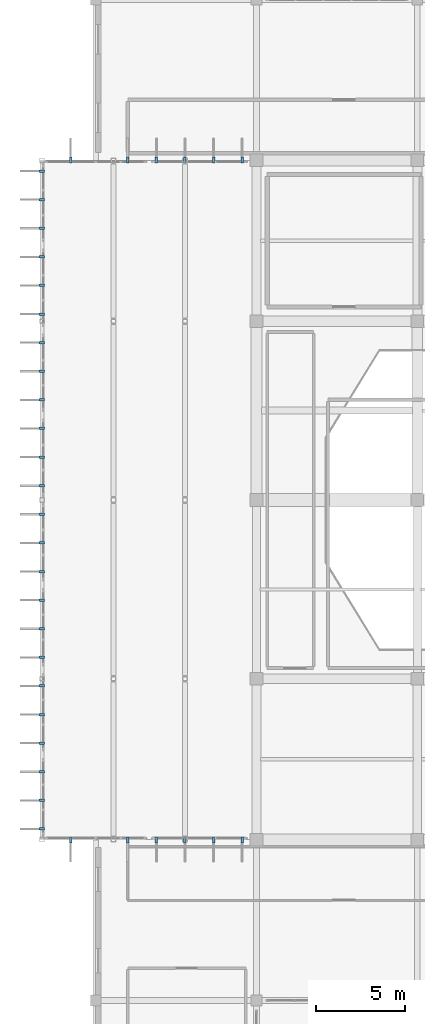
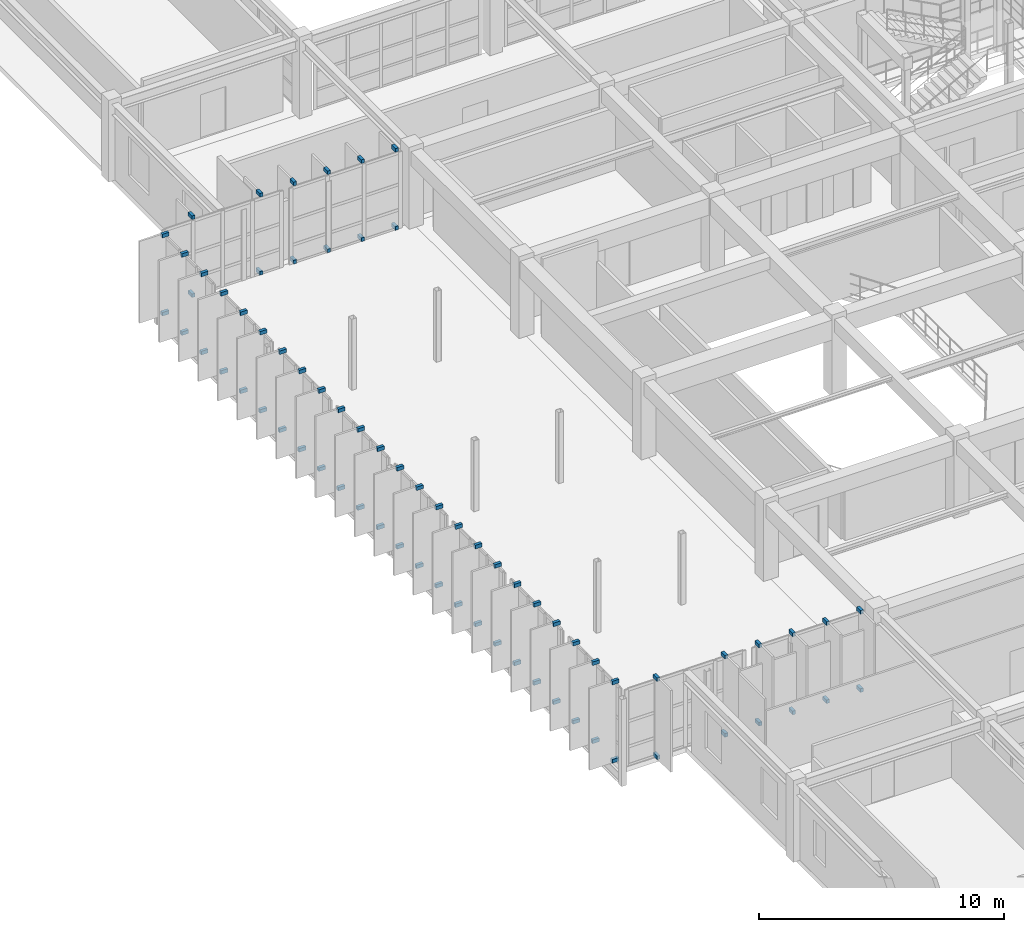
# One storey, part 102 of 110: 72 discrete accessories.
"""IFC4 building model written with IfcOpenShell, lengths in metres."""

from ifc_helpers import new_model, si_unit, direction, frame, origin, origin_2d, place, context, subcontext, project, spatial, rectangle, extrude, material, type_object, element, save


model = new_model("IFC4")

# Units and contexts
model_context = context("Model", 3, precision=1e-05, world=origin(), true_north=direction((0.0, 1.0)))
body_context = subcontext(model_context, "Body", "Model", "MODEL_VIEW")
ifc_project = project(units=[si_unit("LENGTHUNIT", "METRE"), si_unit("AREAUNIT", "SQUARE_METRE"), si_unit("VOLUMEUNIT", "CUBIC_METRE"), si_unit("PLANEANGLEUNIT", "RADIAN"), si_unit("MASSUNIT", "GRAM", prefix="KILO")], contexts=[model_context])

# Site, building, storey
site_placement = place(None, origin())
site = spatial("IfcSite", under=ifc_project, at=site_placement, CompositionType="ELEMENT")
building_placement = place(site_placement, origin())
building = spatial("IfcBuilding", under=site, at=building_placement, Name="Miravela Opera House", CompositionType="ELEMENT")
storey_placement = place(building_placement, frame((0.0, 0.0, 13.60009765625)))
storey = spatial("IfcBuildingStorey", under=building, at=storey_placement, Name="L03", CompositionType="ELEMENT", Elevation=13.60009765625)

# Discrete accessories
ifc_material = material(Name="Anodised architectural bronze aluminium 6063-T6", Category="aluminium")
discrete_accessory_type = type_object("IfcDiscreteAccessoryType", Name="ARC-BRK-FIN-320", PredefinedType="BRACKET", material=ifc_material)
for number, where, z_axis, x_axis, name in (
    (1, (14.97998046875, 37.60009765625, 0.0), (0.0, 0.0, 1.0), (1.0, 0.0, 0.0), "Bronze Fin Outrigger Bracket BOT 0073"),
    (2, (14.97998046875, 37.60009765625, 3.89990234375), (0.0, 0.0, 1.0), (1.0, 0.0, 0.0), "Bronze Fin Outrigger Bracket TOP 0074"),
    (3, (14.97998046875, 39.199951171875, 0.0), (0.0, 0.0, 1.0), (1.0, 0.0, 0.0), "Bronze Fin Outrigger Bracket BOT 0075"),
    (4, (14.97998046875, 39.199951171875, 3.89990234375), (0.0, 0.0, 1.0), (1.0, 0.0, 0.0), "Bronze Fin Outrigger Bracket TOP 0076"),
    (5, (14.97998046875, 40.800048828125, 0.0), (0.0, 0.0, 1.0), (1.0, 0.0, 0.0), "Bronze Fin Outrigger Bracket BOT 0077"),
    (6, (14.97998046875, 40.800048828125, 3.89990234375), (0.0, 0.0, 1.0), (1.0, 0.0, 0.0), "Bronze Fin Outrigger Bracket TOP 0078"),
    (7, (14.97998046875, 42.39990234375, 0.0), (0.0, 0.0, 1.0), (1.0, 0.0, 0.0), "Bronze Fin Outrigger Bracket BOT 0079"),
    (8, (14.97998046875, 42.39990234375, 3.89990234375), (0.0, 0.0, 1.0), (1.0, 0.0, 0.0), "Bronze Fin Outrigger Bracket TOP 0080"),
    (9, (14.97998046875, 44.0, 0.0), (0.0, 0.0, 1.0), (1.0, 0.0, 0.0), "Bronze Fin Outrigger Bracket BOT 0081"),
    (10, (14.97998046875, 44.0, 3.89990234375), (0.0, 0.0, 1.0), (1.0, 0.0, 0.0), "Bronze Fin Outrigger Bracket TOP 0082"),
    (11, (14.97998046875, 45.60009765625, 0.0), (0.0, 0.0, 1.0), (1.0, 0.0, 0.0), "Bronze Fin Outrigger Bracket BOT 0083"),
    (12, (14.97998046875, 45.60009765625, 3.89990234375), (0.0, 0.0, 1.0), (1.0, 0.0, 0.0), "Bronze Fin Outrigger Bracket TOP 0084"),
    (13, (14.97998046875, 47.199951171875, 0.0), (0.0, 0.0, 1.0), (1.0, 0.0, 0.0), "Bronze Fin Outrigger Bracket BOT 0085"),
    (14, (14.97998046875, 47.199951171875, 3.89990234375), (0.0, 0.0, 1.0), (1.0, 0.0, 0.0), "Bronze Fin Outrigger Bracket TOP 0086"),
    (15, (14.97998046875, 48.800048828125, 0.0), (0.0, 0.0, 1.0), (1.0, 0.0, 0.0), "Bronze Fin Outrigger Bracket BOT 0087"),
    (16, (14.97998046875, 48.800048828125, 3.89990234375), (0.0, 0.0, 1.0), (1.0, 0.0, 0.0), "Bronze Fin Outrigger Bracket TOP 0088"),
    (17, (14.97998046875, 50.39990234375, 0.0), (0.0, 0.0, 1.0), (1.0, 0.0, 0.0), "Bronze Fin Outrigger Bracket BOT 0089"),
    (18, (14.97998046875, 50.39990234375, 3.89990234375), (0.0, 0.0, 1.0), (1.0, 0.0, 0.0), "Bronze Fin Outrigger Bracket TOP 0090"),
    (19, (14.97998046875, 52.0, 0.0), (0.0, 0.0, 1.0), (1.0, 0.0, 0.0), "Bronze Fin Outrigger Bracket BOT 0091"),
    (20, (14.97998046875, 52.0, 3.89990234375), (0.0, 0.0, 1.0), (1.0, 0.0, 0.0), "Bronze Fin Outrigger Bracket TOP 0092"),
    (21, (14.97998046875, 53.60009765625, 0.0), (0.0, 0.0, 1.0), (1.0, 0.0, 0.0), "Bronze Fin Outrigger Bracket BOT 0093"),
    (22, (14.97998046875, 53.60009765625, 3.89990234375), (0.0, 0.0, 1.0), (1.0, 0.0, 0.0), "Bronze Fin Outrigger Bracket TOP 0094"),
    (23, (14.97998046875, 55.199951171875, 0.0), (0.0, 0.0, 1.0), (1.0, 0.0, 0.0), "Bronze Fin Outrigger Bracket BOT 0095"),
    (24, (14.97998046875, 55.199951171875, 3.89990234375), (0.0, 0.0, 1.0), (1.0, 0.0, 0.0), "Bronze Fin Outrigger Bracket TOP 0096"),
    (25, (14.97998046875, 56.800048828125, 0.0), (0.0, 0.0, 1.0), (1.0, 0.0, 0.0), "Bronze Fin Outrigger Bracket BOT 0097"),
    (26, (14.97998046875, 56.800048828125, 3.89990234375), (0.0, 0.0, 1.0), (1.0, 0.0, 0.0), "Bronze Fin Outrigger Bracket TOP 0098"),
    (27, (14.97998046875, 58.39990234375, 0.0), (0.0, 0.0, 1.0), (1.0, 0.0, 0.0), "Bronze Fin Outrigger Bracket BOT 0099"),
    (28, (14.97998046875, 58.39990234375, 3.89990234375), (0.0, 0.0, 1.0), (1.0, 0.0, 0.0), "Bronze Fin Outrigger Bracket TOP 0100"),
    (29, (14.97998046875, 60.0, 0.0), (0.0, 0.0, 1.0), (1.0, 0.0, 0.0), "Bronze Fin Outrigger Bracket BOT 0101"),
    (30, (14.97998046875, 60.0, 3.89990234375), (0.0, 0.0, 1.0), (1.0, 0.0, 0.0), "Bronze Fin Outrigger Bracket TOP 0102"),
    (31, (14.97998046875, 61.60009765625, 0.0), (0.0, 0.0, 1.0), (1.0, 0.0, 0.0), "Bronze Fin Outrigger Bracket BOT 0103"),
    (32, (14.97998046875, 61.60009765625, 3.89990234375), (0.0, 0.0, 1.0), (1.0, 0.0, 0.0), "Bronze Fin Outrigger Bracket TOP 0104"),
    (33, (14.97998046875, 63.199951171875, 0.0), (0.0, 0.0, 1.0), (1.0, 0.0, 0.0), "Bronze Fin Outrigger Bracket BOT 0105"),
    (34, (14.97998046875, 63.199951171875, 3.89990234375), (0.0, 0.0, 1.0), (1.0, 0.0, 0.0), "Bronze Fin Outrigger Bracket TOP 0106"),
    (35, (14.97998046875, 64.800048828125, 0.0), (0.0, 0.0, 1.0), (1.0, 0.0, 0.0), "Bronze Fin Outrigger Bracket BOT 0107"),
    (36, (14.97998046875, 64.800048828125, 3.89990234375), (0.0, 0.0, 1.0), (1.0, 0.0, 0.0), "Bronze Fin Outrigger Bracket TOP 0108"),
    (37, (14.97998046875, 66.39990234375, 0.0), (0.0, 0.0, 1.0), (1.0, 0.0, 0.0), "Bronze Fin Outrigger Bracket BOT 0109"),
    (38, (14.97998046875, 66.39990234375, 3.89990234375), (0.0, 0.0, 1.0), (1.0, 0.0, 0.0), "Bronze Fin Outrigger Bracket TOP 0110"),
    (39, (14.97998046875, 68.0, 0.0), (0.0, 0.0, 1.0), (1.0, 0.0, 0.0), "Bronze Fin Outrigger Bracket BOT 0111"),
    (40, (14.97998046875, 68.0, 3.89990234375), (0.0, 0.0, 1.0), (1.0, 0.0, 0.0), "Bronze Fin Outrigger Bracket TOP 0112"),
    (41, (14.97998046875, 69.60009765625, 0.0), (0.0, 0.0, 1.0), (1.0, 0.0, 0.0), "Bronze Fin Outrigger Bracket BOT 0113"),
    (42, (14.97998046875, 69.60009765625, 3.89990234375), (0.0, 0.0, 1.0), (1.0, 0.0, 0.0), "Bronze Fin Outrigger Bracket TOP 0114"),
    (43, (14.97998046875, 71.199951171875, 0.0), (0.0, 0.0, 1.0), (1.0, 0.0, 0.0), "Bronze Fin Outrigger Bracket BOT 0115"),
    (44, (14.97998046875, 71.199951171875, 3.89990234375), (0.0, 0.0, 1.0), (1.0, 0.0, 0.0), "Bronze Fin Outrigger Bracket TOP 0116"),
    (45, (14.97998046875, 72.800048828125, 0.0), (0.0, 0.0, 1.0), (1.0, 0.0, 0.0), "Bronze Fin Outrigger Bracket BOT 0117"),
    (46, (14.97998046875, 72.800048828125, 3.89990234375), (0.0, 0.0, 1.0), (1.0, 0.0, 0.0), "Bronze Fin Outrigger Bracket TOP 0118"),
    (47, (14.97998046875, 74.39990234375, 0.0), (0.0, 0.0, 1.0), (1.0, 0.0, 0.0), "Bronze Fin Outrigger Bracket BOT 0119"),
    (48, (14.97998046875, 74.39990234375, 3.89990234375), (0.0, 0.0, 1.0), (1.0, 0.0, 0.0), "Bronze Fin Outrigger Bracket TOP 0120"),
    (49, (16.60009765625, 75.02001953125, 0.0), (0.0, 0.0, 1.0), (0.0, 1.0, 0.0), "Bronze Fin Outrigger Bracket BOT 0121"),
    (50, (16.60009765625, 75.02001953125, 3.89990234375), (0.0, 0.0, 1.0), (0.0, 1.0, 0.0), "Bronze Fin Outrigger Bracket TOP 0122"),
    (51, (16.60009765625, 36.97998046875, 0.0), (0.0, 0.0, 1.0), (0.0, 1.0, 0.0), "Bronze Fin Outrigger Bracket BOT 0123"),
    (52, (16.60009765625, 36.97998046875, 3.89990234375), (0.0, 0.0, 1.0), (0.0, 1.0, 0.0), "Bronze Fin Outrigger Bracket TOP 0124"),
    (53, (19.800048828125, 75.02001953125, 0.0), (0.0, 0.0, 1.0), (0.0, 1.0, 0.0), "Bronze Fin Outrigger Bracket BOT 0125"),
    (54, (19.800048828125, 75.02001953125, 3.89990234375), (0.0, 0.0, 1.0), (0.0, 1.0, 0.0), "Bronze Fin Outrigger Bracket TOP 0126"),
    (55, (19.800048828125, 36.97998046875, 0.0), (0.0, 0.0, 1.0), (0.0, 1.0, 0.0), "Bronze Fin Outrigger Bracket BOT 0127"),
    (56, (19.800048828125, 36.97998046875, 3.89990234375), (0.0, 0.0, 1.0), (0.0, 1.0, 0.0), "Bronze Fin Outrigger Bracket TOP 0128"),
    (57, (21.39990234375, 75.02001953125, 0.0), (0.0, 0.0, 1.0), (0.0, 1.0, 0.0), "Bronze Fin Outrigger Bracket BOT 0129"),
    (58, (21.39990234375, 75.02001953125, 3.89990234375), (0.0, 0.0, 1.0), (0.0, 1.0, 0.0), "Bronze Fin Outrigger Bracket TOP 0130"),
    (59, (21.39990234375, 36.97998046875, 0.0), (0.0, 0.0, 1.0), (0.0, 1.0, 0.0), "Bronze Fin Outrigger Bracket BOT 0131"),
    (60, (21.39990234375, 36.97998046875, 3.89990234375), (0.0, 0.0, 1.0), (0.0, 1.0, 0.0), "Bronze Fin Outrigger Bracket TOP 0132"),
    (61, (23.0, 75.02001953125, 0.0), (0.0, 0.0, 1.0), (0.0, 1.0, 0.0), "Bronze Fin Outrigger Bracket BOT 0133"),
    (62, (23.0, 75.02001953125, 3.89990234375), (0.0, 0.0, 1.0), (0.0, 1.0, 0.0), "Bronze Fin Outrigger Bracket TOP 0134"),
    (63, (23.0, 36.97998046875, 0.0), (0.0, 0.0, 1.0), (0.0, 1.0, 0.0), "Bronze Fin Outrigger Bracket BOT 0135"),
    (64, (23.0, 36.97998046875, 3.89990234375), (0.0, 0.0, 1.0), (0.0, 1.0, 0.0), "Bronze Fin Outrigger Bracket TOP 0136"),
    (65, (24.60009765625, 75.02001953125, 0.0), (0.0, 0.0, 1.0), (0.0, 1.0, 0.0), "Bronze Fin Outrigger Bracket BOT 0137"),
    (66, (24.60009765625, 75.02001953125, 3.89990234375), (0.0, 0.0, 1.0), (0.0, 1.0, 0.0), "Bronze Fin Outrigger Bracket TOP 0138"),
    (67, (24.60009765625, 36.97998046875, 0.0), (0.0, 0.0, 1.0), (0.0, 1.0, 0.0), "Bronze Fin Outrigger Bracket BOT 0139"),
    (68, (24.60009765625, 36.97998046875, 3.89990234375), (0.0, 0.0, 1.0), (0.0, 1.0, 0.0), "Bronze Fin Outrigger Bracket TOP 0140"),
    (69, (26.199951171875, 75.02001953125, 0.0), (0.0, 0.0, 1.0), (0.0, 1.0, 0.0), "Bronze Fin Outrigger Bracket BOT 0141"),
    (70, (26.199951171875, 75.02001953125, 3.89990234375), (0.0, 0.0, 1.0), (0.0, 1.0, 0.0), "Bronze Fin Outrigger Bracket TOP 0142"),
    (71, (26.199951171875, 36.97998046875, 0.0), (0.0, 0.0, 1.0), (0.0, 1.0, 0.0), "Bronze Fin Outrigger Bracket BOT 0143"),
    (72, (26.199951171875, 36.97998046875, 3.89990234375), (0.0, 0.0, 1.0), (0.0, 1.0, 0.0), "Bronze Fin Outrigger Bracket TOP 0144"),
):
    element("IfcDiscreteAccessory", number, at=place(storey_placement, frame(where, z_axis=z_axis, x_axis=x_axis)), inside=storey, type_object=discrete_accessory_type, Name=name, PredefinedType="BRACKET", context=body_context, shape_type="SweptSolid", body=[
        extrude(rectangle(XDim=0.320068359375, YDim=0.139892578125, at=origin_2d()), origin(), (0.0, 0.0, 1.0), 0.179931640625),
    ])

save(model, "model.ifc")
